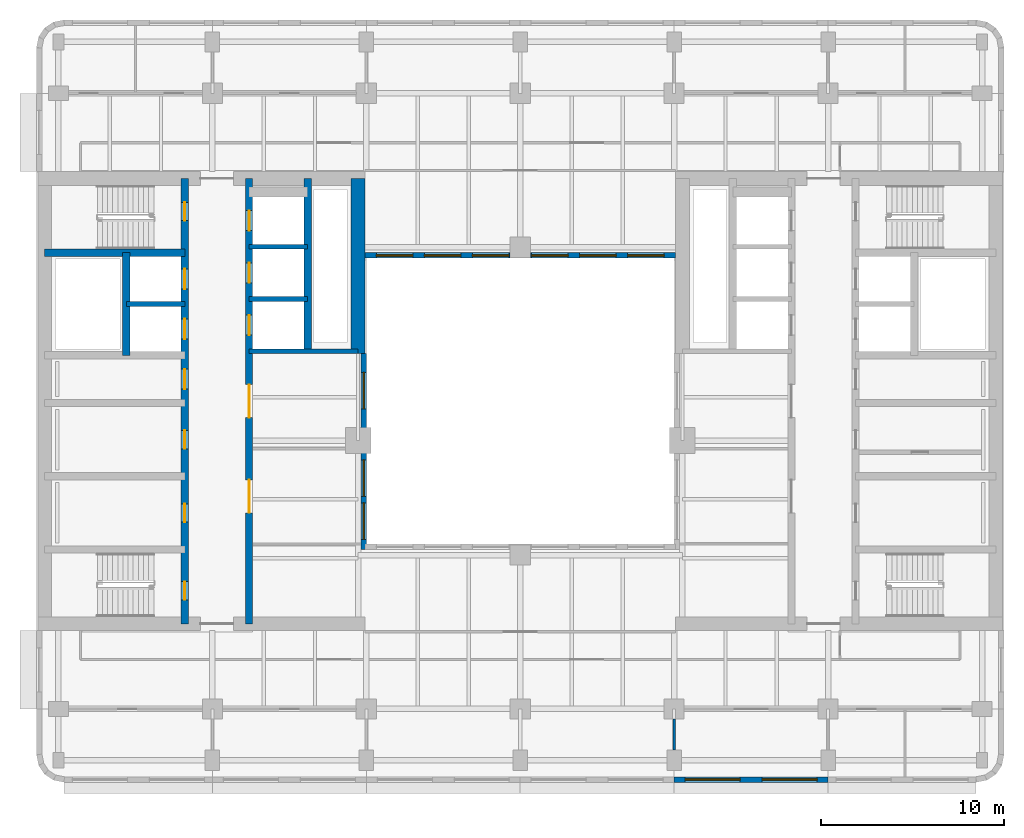
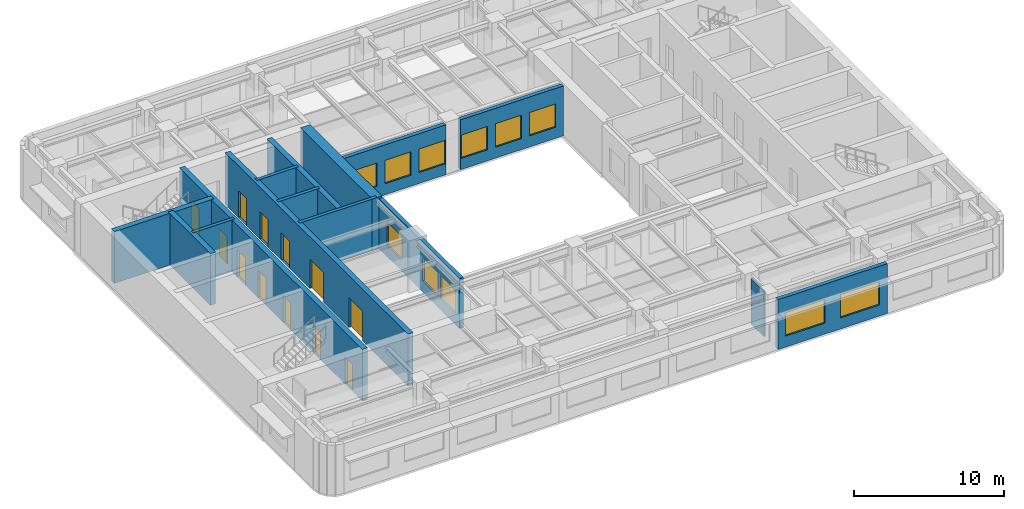
# One storey, part 4 of 11: 15 walls, 12 doors, 11 windows, 23 openings.
"""IFC4 building model written with IfcOpenShell, lengths in metres."""

from ifc_helpers import new_model, si_unit, direction, frame, frame_2d, origin, place, context, subcontext, project, spatial, rectangle, extrude, material, layer, layer_set, type_object, element, fill, save


model = new_model("IFC4")

# Units and contexts
model_context = context("Model", 3, precision=1e-05, world=origin(), true_north=direction((0.0, 1.0)))
body_context = subcontext(model_context, "Body", "Model", "MODEL_VIEW")
ifc_project = project(units=[si_unit("LENGTHUNIT", "METRE"), si_unit("AREAUNIT", "SQUARE_METRE"), si_unit("VOLUMEUNIT", "CUBIC_METRE"), si_unit("PLANEANGLEUNIT", "RADIAN"), si_unit("MASSUNIT", "GRAM", prefix="KILO")], contexts=[model_context])

# Site, building, storey
site_placement = place(None, origin())
site = spatial("IfcSite", under=ifc_project, at=site_placement, CompositionType="ELEMENT")
building_placement = place(site_placement, origin())
building = spatial("IfcBuilding", under=site, at=building_placement, Name="Claustro Exchange Tower", CompositionType="ELEMENT")
storey_placement = place(building_placement, frame((0.0, 0.0, 186.0)))
storey = spatial("IfcBuildingStorey", under=building, at=storey_placement, Name="L42", CompositionType="ELEMENT", Elevation=186.0)

# Wall
ifc_material_1 = material(Name="Laminated glass in aluminium frame", Category="aluminium")
ifc_layer_1 = layer(ifc_material_1, 0.1201171875)
ifc_layer_set_1 = layer_set([ifc_layer_1], Name="Laminated glass in aluminium frame")
wall_type_1 = type_object("IfcWallType", Name="P2 120 glazed partition", PredefinedType="PARTITIONING", material=ifc_layer_set_1)
wall_1_placement = place(storey_placement, frame((33.60009765625, 6.14892578125, 0.0), z_axis=(0.0, 0.0, 1.0), x_axis=(0.0, 1.0, 0.0)))
element("IfcWall", 1, at=wall_1_placement, inside=storey, type_object=wall_type_1, Name="Partition P2 L42", PredefinedType="PARTITIONING", context=body_context, shape_type="SweptSolid", body=[
    extrude(rectangle(XDim=1.7021484375, YDim=0.1201171875, at=frame_2d((0.85107421875, 0.0))), origin(), (0.0, 0.0, 1.0), 3.68994140625),
])

# Wall, openings, windows
ifc_material_2 = material(Name="Concrete HA-40 (C40/50), precast, white cement, acid-etched", Category="concrete")
ifc_layer_2 = layer(ifc_material_2, 0.300048828125)
ifc_layer_set_2 = layer_set([ifc_layer_2], Name="Concrete HA-40 (C40/50), precast, white cement, acid-etched")
wall_type_2 = type_object("IfcWallType", Name="PC1 300 precast concrete pier panel", PredefinedType="SOLIDWALL", material=ifc_layer_set_2)
wall_2_placement = place(storey_placement, frame((42.0, 4.550048828125, 0.0), z_axis=(0.0, 0.0, 1.0), x_axis=(-1.0, 0.0, 0.0)))
wall_2 = element("IfcWall", 2, at=wall_2_placement, inside=storey, type_object=wall_type_2, Name="Precast pier panel PC1 L42", PredefinedType="SOLIDWALL", context=body_context, shape_type="SweptSolid", body=[
    extrude(rectangle(XDim=8.39990234375, YDim=0.300048828125, at=frame_2d((4.199951171875, 0.0))), origin(), (0.0, 0.0, 1.0), 4.050048828125),
])
opening_1_placement = place(wall_2_placement, frame((0.60009765625, 0.0, 0.89990234375)))
opening_1 = element("IfcOpeningElement", 3, at=opening_1_placement, cuts=wall_2, Name="Opening W1", PredefinedType="OPENING", context=body_context, shape_type="SweptSolid", body=[
    extrude(rectangle(XDim=3.0, YDim=1.89990234375, at=frame_2d((1.5, 0.949951171875))), frame((0.0, 0.159912109375, 0.0), z_axis=(0.0, -1.0, 0.0), x_axis=(1.0, 0.0, 0.0)), (0.0, 0.0, 1.0), 0.320068359375),
])
opening_2_placement = place(wall_2_placement, frame((4.800048828125, 0.0, 0.89990234375)))
opening_2 = element("IfcOpeningElement", 4, at=opening_2_placement, cuts=wall_2, Name="Opening W1", PredefinedType="OPENING", context=body_context, shape_type="SweptSolid", body=[
    extrude(rectangle(XDim=3.0, YDim=1.89990234375, at=frame_2d((1.5, 0.949951171875))), frame((0.0, 0.159912109375, 0.0), z_axis=(0.0, -1.0, 0.0), x_axis=(1.0, 0.0, 0.0)), (0.0, 0.0, 1.0), 0.320068359375),
])
ifc_material_3 = material(Name="Aluminium frame, clear double glazing", Category="aluminium")
window_type_1 = type_object("IfcWindowType", Name="W1 3000 x 1900 window", PartitioningType="SINGLE_PANEL", PredefinedType="WINDOW", material=ifc_material_3)
window_1_placement = place(opening_1_placement, origin())
window_1 = element("IfcWindow", 5, at=window_1_placement, inside=storey, type_object=window_type_1, Name="Window W1 L42", OverallHeight=1.89990234375, OverallWidth=3.0, PartitioningType="SINGLE_PANEL", PredefinedType="WINDOW", context=body_context, shape_type="SweptSolid", body=[
    extrude(rectangle(XDim=3.0, YDim=1.89990234375, at=frame_2d((1.5, 0.949951171875))), frame((0.0, 0.030029296875, 0.0), z_axis=(0.0, -1.0, 0.0), x_axis=(1.0, 0.0, 0.0)), (0.0, 0.0, 1.0), 0.06005859375),
])
fill(opening_1, window_1)
window_2_placement = place(opening_2_placement, origin())
window_2 = element("IfcWindow", 6, at=window_2_placement, inside=storey, type_object=window_type_1, Name="Window W1 L42", OverallHeight=1.89990234375, OverallWidth=3.0, PartitioningType="SINGLE_PANEL", PredefinedType="WINDOW", context=body_context, shape_type="SweptSolid", body=[
    extrude(rectangle(XDim=3.0, YDim=1.89990234375, at=frame_2d((1.5, 0.949951171875))), frame((0.0, 0.030029296875, 0.0), z_axis=(0.0, -1.0, 0.0), x_axis=(1.0, 0.0, 0.0)), (0.0, 0.0, 1.0), 0.06005859375),
])
fill(opening_2, window_2)

wall_3_placement = place(storey_placement, frame((16.64990234375, 17.10009765625, 0.0), z_axis=(0.0, 0.0, 1.0), x_axis=(0.0, 1.0, 0.0)))
wall_3 = element("IfcWall", 7, at=wall_3_placement, inside=storey, type_object=wall_type_2, Name="Precast pier panel PC1 L42", PredefinedType="SOLIDWALL", context=body_context, shape_type="SweptSolid", body=[
    extrude(rectangle(XDim=10.699951171875, YDim=0.300048828125, at=frame_2d((5.35009765625, 0.0))), origin(), (0.0, 0.0, 1.0), 4.050048828125),
])
opening_3_placement = place(wall_3_placement, frame((0.550048828125, 0.0, 0.89990234375)))
opening_3 = element("IfcOpeningElement", 8, at=opening_3_placement, cuts=wall_3, Name="Opening W4", PredefinedType="OPENING", context=body_context, shape_type="SweptSolid", body=[
    extrude(rectangle(XDim=2.0, YDim=1.89990234375, at=frame_2d((1.0, 0.949951171875))), frame((0.0, 0.159912109375, 0.0), z_axis=(0.0, -1.0, 0.0), x_axis=(1.0, 0.0, 0.0)), (0.0, 0.0, 1.0), 0.320068359375),
])
opening_4_placement = place(wall_3_placement, frame((2.89990234375, 0.0, 0.89990234375)))
opening_4 = element("IfcOpeningElement", 9, at=opening_4_placement, cuts=wall_3, Name="Opening W4", PredefinedType="OPENING", context=body_context, shape_type="SweptSolid", body=[
    extrude(rectangle(XDim=2.0, YDim=1.89990234375, at=frame_2d((1.0, 0.949951171875))), frame((0.0, 0.159912109375, 0.0), z_axis=(0.0, -1.0, 0.0), x_axis=(1.0, 0.0, 0.0)), (0.0, 0.0, 1.0), 0.320068359375),
])
opening_5_placement = place(wall_3_placement, frame((7.675048828125, 0.0, 0.89990234375)))
opening_5 = element("IfcOpeningElement", 10, at=opening_5_placement, cuts=wall_3, Name="Opening W4", PredefinedType="OPENING", context=body_context, shape_type="SweptSolid", body=[
    extrude(rectangle(XDim=2.0, YDim=1.89990234375, at=frame_2d((1.0, 0.949951171875))), frame((0.0, 0.159912109375, 0.0), z_axis=(0.0, -1.0, 0.0), x_axis=(1.0, 0.0, 0.0)), (0.0, 0.0, 1.0), 0.320068359375),
])
ifc_material_4 = material(Name="Aluminium frame, clear double glazing", Category="aluminium")
window_type_2 = type_object("IfcWindowType", Name="W4 2000 x 1900 light well window", PartitioningType="SINGLE_PANEL", PredefinedType="WINDOW", material=ifc_material_4)
window_3_placement = place(opening_3_placement, origin())
window_3 = element("IfcWindow", 11, at=window_3_placement, inside=storey, type_object=window_type_2, Name="Window W4 L42", OverallHeight=1.89990234375, OverallWidth=2.0, PartitioningType="SINGLE_PANEL", PredefinedType="WINDOW", context=body_context, shape_type="SweptSolid", body=[
    extrude(rectangle(XDim=2.0, YDim=1.89990234375, at=frame_2d((1.0, 0.949951171875))), frame((0.0, 0.030029296875, 0.0), z_axis=(0.0, -1.0, 0.0), x_axis=(1.0, 0.0, 0.0)), (0.0, 0.0, 1.0), 0.06005859375),
])
fill(opening_3, window_3)
window_4_placement = place(opening_4_placement, origin())
window_4 = element("IfcWindow", 12, at=window_4_placement, inside=storey, type_object=window_type_2, Name="Window W4 L42", OverallHeight=1.89990234375, OverallWidth=2.0, PartitioningType="SINGLE_PANEL", PredefinedType="WINDOW", context=body_context, shape_type="SweptSolid", body=[
    extrude(rectangle(XDim=2.0, YDim=1.89990234375, at=frame_2d((1.0, 0.949951171875))), frame((0.0, 0.030029296875, 0.0), z_axis=(0.0, -1.0, 0.0), x_axis=(1.0, 0.0, 0.0)), (0.0, 0.0, 1.0), 0.06005859375),
])
fill(opening_4, window_4)
window_5_placement = place(opening_5_placement, origin())
window_5 = element("IfcWindow", 13, at=window_5_placement, inside=storey, type_object=window_type_2, Name="Window W4 L42", OverallHeight=1.89990234375, OverallWidth=2.0, PartitioningType="SINGLE_PANEL", PredefinedType="WINDOW", context=body_context, shape_type="SweptSolid", body=[
    extrude(rectangle(XDim=2.0, YDim=1.89990234375, at=frame_2d((1.0, 0.949951171875))), frame((0.0, 0.030029296875, 0.0), z_axis=(0.0, -1.0, 0.0), x_axis=(1.0, 0.0, 0.0)), (0.0, 0.0, 1.0), 0.06005859375),
])
fill(opening_5, window_5)

wall_4_placement = place(storey_placement, frame((16.72509765625, 33.14990234375, 0.0), z_axis=(0.0, 0.0, 1.0), x_axis=(1.0, 0.0, 0.0)))
wall_4 = element("IfcWall", 14, at=wall_4_placement, inside=storey, type_object=wall_type_2, Name="Precast pier panel PC1 L42", PredefinedType="SOLIDWALL", context=body_context, shape_type="SweptSolid", body=[
    extrude(rectangle(XDim=7.9248046875, YDim=0.300048828125, at=frame_2d((3.96240234375, 0.0))), origin(), (0.0, 0.0, 1.0), 4.050048828125),
])
opening_6_placement = place(wall_4_placement, frame((0.61865234375, 0.0, 0.89990234375)))
opening_6 = element("IfcOpeningElement", 15, at=opening_6_placement, cuts=wall_4, Name="Opening W4", PredefinedType="OPENING", context=body_context, shape_type="SweptSolid", body=[
    extrude(rectangle(XDim=2.0, YDim=1.89990234375, at=frame_2d((1.0, 0.949951171875))), frame((0.0, 0.159912109375, 0.0), z_axis=(0.0, -1.0, 0.0), x_axis=(1.0, 0.0, 0.0)), (0.0, 0.0, 1.0), 0.320068359375),
])
opening_7_placement = place(wall_4_placement, frame((3.237548828125, 0.0, 0.89990234375)))
opening_7 = element("IfcOpeningElement", 16, at=opening_7_placement, cuts=wall_4, Name="Opening W4", PredefinedType="OPENING", context=body_context, shape_type="SweptSolid", body=[
    extrude(rectangle(XDim=2.0, YDim=1.89990234375, at=frame_2d((1.0, 0.949951171875))), frame((0.0, 0.159912109375, 0.0), z_axis=(0.0, -1.0, 0.0), x_axis=(1.0, 0.0, 0.0)), (0.0, 0.0, 1.0), 0.320068359375),
])
opening_8_placement = place(wall_4_placement, frame((5.856201171875, 0.0, 0.89990234375)))
opening_8 = element("IfcOpeningElement", 17, at=opening_8_placement, cuts=wall_4, Name="Opening W4", PredefinedType="OPENING", context=body_context, shape_type="SweptSolid", body=[
    extrude(rectangle(XDim=2.0, YDim=1.89990234375, at=frame_2d((1.0, 0.949951171875))), frame((0.0, 0.159912109375, 0.0), z_axis=(0.0, -1.0, 0.0), x_axis=(1.0, 0.0, 0.0)), (0.0, 0.0, 1.0), 0.320068359375),
])
window_6_placement = place(opening_6_placement, origin())
window_6 = element("IfcWindow", 18, at=window_6_placement, inside=storey, type_object=window_type_2, Name="Window W4 L42", OverallHeight=1.89990234375, OverallWidth=2.0, PartitioningType="SINGLE_PANEL", PredefinedType="WINDOW", context=body_context, shape_type="SweptSolid", body=[
    extrude(rectangle(XDim=2.0, YDim=1.89990234375, at=frame_2d((1.0, 0.949951171875))), frame((0.0, 0.030029296875, 0.0), z_axis=(0.0, -1.0, 0.0), x_axis=(1.0, 0.0, 0.0)), (0.0, 0.0, 1.0), 0.06005859375),
])
fill(opening_6, window_6)
window_7_placement = place(opening_7_placement, origin())
window_7 = element("IfcWindow", 19, at=window_7_placement, inside=storey, type_object=window_type_2, Name="Window W4 L42", OverallHeight=1.89990234375, OverallWidth=2.0, PartitioningType="SINGLE_PANEL", PredefinedType="WINDOW", context=body_context, shape_type="SweptSolid", body=[
    extrude(rectangle(XDim=2.0, YDim=1.89990234375, at=frame_2d((1.0, 0.949951171875))), frame((0.0, 0.030029296875, 0.0), z_axis=(0.0, -1.0, 0.0), x_axis=(1.0, 0.0, 0.0)), (0.0, 0.0, 1.0), 0.06005859375),
])
fill(opening_7, window_7)
window_8_placement = place(opening_8_placement, origin())
window_8 = element("IfcWindow", 20, at=window_8_placement, inside=storey, type_object=window_type_2, Name="Window W4 L42", OverallHeight=1.89990234375, OverallWidth=2.0, PartitioningType="SINGLE_PANEL", PredefinedType="WINDOW", context=body_context, shape_type="SweptSolid", body=[
    extrude(rectangle(XDim=2.0, YDim=1.89990234375, at=frame_2d((1.0, 0.949951171875))), frame((0.0, 0.030029296875, 0.0), z_axis=(0.0, -1.0, 0.0), x_axis=(1.0, 0.0, 0.0)), (0.0, 0.0, 1.0), 0.06005859375),
])
fill(opening_8, window_8)

wall_5_placement = place(storey_placement, frame((25.75, 33.14990234375, 0.0), z_axis=(0.0, 0.0, 1.0), x_axis=(1.0, 0.0, 0.0)))
wall_5 = element("IfcWall", 21, at=wall_5_placement, inside=storey, type_object=wall_type_2, Name="Precast pier panel PC1 L42", PredefinedType="SOLIDWALL", context=body_context, shape_type="SweptSolid", body=[
    extrude(rectangle(XDim=7.925048828125, YDim=0.300048828125, at=frame_2d((3.96240234375, 0.0))), origin(), (0.0, 0.0, 1.0), 4.050048828125),
])
opening_9_placement = place(wall_5_placement, frame((0.068603515625, 0.0, 0.89990234375)))
opening_9 = element("IfcOpeningElement", 22, at=opening_9_placement, cuts=wall_5, Name="Opening W4", PredefinedType="OPENING", context=body_context, shape_type="SweptSolid", body=[
    extrude(rectangle(XDim=2.0, YDim=1.89990234375, at=frame_2d((1.0, 0.949951171875))), frame((0.0, 0.159912109375, 0.0), z_axis=(0.0, -1.0, 0.0), x_axis=(1.0, 0.0, 0.0)), (0.0, 0.0, 1.0), 0.320068359375),
])
opening_10_placement = place(wall_5_placement, frame((2.6875, 0.0, 0.89990234375)))
opening_10 = element("IfcOpeningElement", 23, at=opening_10_placement, cuts=wall_5, Name="Opening W4", PredefinedType="OPENING", context=body_context, shape_type="SweptSolid", body=[
    extrude(rectangle(XDim=2.0, YDim=1.89990234375, at=frame_2d((1.0, 0.949951171875))), frame((0.0, 0.159912109375, 0.0), z_axis=(0.0, -1.0, 0.0), x_axis=(1.0, 0.0, 0.0)), (0.0, 0.0, 1.0), 0.320068359375),
])
opening_11_placement = place(wall_5_placement, frame((5.30615234375, 0.0, 0.89990234375)))
opening_11 = element("IfcOpeningElement", 24, at=opening_11_placement, cuts=wall_5, Name="Opening W4", PredefinedType="OPENING", context=body_context, shape_type="SweptSolid", body=[
    extrude(rectangle(XDim=2.0, YDim=1.89990234375, at=frame_2d((1.0, 0.949951171875))), frame((0.0, 0.159912109375, 0.0), z_axis=(0.0, -1.0, 0.0), x_axis=(1.0, 0.0, 0.0)), (0.0, 0.0, 1.0), 0.320068359375),
])
window_9_placement = place(opening_9_placement, origin())
window_9 = element("IfcWindow", 25, at=window_9_placement, inside=storey, type_object=window_type_2, Name="Window W4 L42", OverallHeight=1.89990234375, OverallWidth=2.0, PartitioningType="SINGLE_PANEL", PredefinedType="WINDOW", context=body_context, shape_type="SweptSolid", body=[
    extrude(rectangle(XDim=2.0, YDim=1.89990234375, at=frame_2d((1.0, 0.949951171875))), frame((0.0, 0.030029296875, 0.0), z_axis=(0.0, -1.0, 0.0), x_axis=(1.0, 0.0, 0.0)), (0.0, 0.0, 1.0), 0.06005859375),
])
fill(opening_9, window_9)
window_10_placement = place(opening_10_placement, origin())
window_10 = element("IfcWindow", 26, at=window_10_placement, inside=storey, type_object=window_type_2, Name="Window W4 L42", OverallHeight=1.89990234375, OverallWidth=2.0, PartitioningType="SINGLE_PANEL", PredefinedType="WINDOW", context=body_context, shape_type="SweptSolid", body=[
    extrude(rectangle(XDim=2.0, YDim=1.89990234375, at=frame_2d((1.0, 0.949951171875))), frame((0.0, 0.030029296875, 0.0), z_axis=(0.0, -1.0, 0.0), x_axis=(1.0, 0.0, 0.0)), (0.0, 0.0, 1.0), 0.06005859375),
])
fill(opening_10, window_10)
window_11_placement = place(opening_11_placement, origin())
window_11 = element("IfcWindow", 27, at=window_11_placement, inside=storey, type_object=window_type_2, Name="Window W4 L42", OverallHeight=1.89990234375, OverallWidth=2.0, PartitioningType="SINGLE_PANEL", PredefinedType="WINDOW", context=body_context, shape_type="SweptSolid", body=[
    extrude(rectangle(XDim=2.0, YDim=1.89990234375, at=frame_2d((1.0, 0.949951171875))), frame((0.0, 0.030029296875, 0.0), z_axis=(0.0, -1.0, 0.0), x_axis=(1.0, 0.0, 0.0)), (0.0, 0.0, 1.0), 0.06005859375),
])
fill(opening_11, window_11)

# Wall
ifc_material_5 = material(Name="Concrete HA-70 (C70/85)", Category="concrete")
ifc_layer_3 = layer(ifc_material_5, 0.75)
ifc_layer_set_3 = layer_set([ifc_layer_3], Name="Concrete HA-70 (C70/85)")
wall_type_3 = type_object("IfcWallType", Name="SW2X 750 exposed core shear wall, board-marked face", PredefinedType="SHEAR", material=ifc_layer_set_3)
wall_6_placement = place(storey_placement, frame((16.35009765625, 27.800048828125, 0.0), z_axis=(0.0, 0.0, 1.0), x_axis=(0.0, 1.0, 0.0)))
element("IfcWall", 28, at=wall_6_placement, inside=storey, type_object=wall_type_3, Name="Core wall SW2X W core E face L42", PredefinedType="SHEAR", context=body_context, shape_type="SweptSolid", body=[
    extrude(rectangle(XDim=9.550048828125, YDim=0.75, at=frame_2d((4.77490234375, 0.0))), origin(), (0.0, 0.0, 1.0), 4.199951171875),
])

# Wall, openings, doors
ifc_material_6 = material(Name="Concrete HA-50 (C50/60)", Category="concrete")
ifc_layer_4 = layer(ifc_material_6, 0.39990234375)
ifc_layer_set_4 = layer_set([ifc_layer_4], Name="Concrete HA-50 (C50/60)")
wall_type_4 = type_object("IfcWallType", Name="SW4 400 internal core wall", PredefinedType="SHEAR", material=ifc_layer_set_4)
wall_7_placement = place(storey_placement, frame((6.89990234375, 13.050048828125, 0.0), z_axis=(0.0, 0.0, 1.0), x_axis=(0.0, 1.0, 0.0)))
wall_7 = element("IfcWall", 29, at=wall_7_placement, inside=storey, type_object=wall_type_4, Name="Internal core wall SW4 W core L42", PredefinedType="SHEAR", context=body_context, shape_type="SweptSolid", body=[
    extrude(rectangle(XDim=24.300048828125, YDim=0.39990234375, at=frame_2d((12.14990234375, 0.0))), origin(), (0.0, 0.0, 1.0), 4.199951171875),
])
opening_12_placement = place(wall_7_placement, frame((1.300048828125, 0.0, 0.0)))
opening_12 = element("IfcOpeningElement", 30, at=opening_12_placement, cuts=wall_7, Name="Opening D4", PredefinedType="OPENING", context=body_context, shape_type="SweptSolid", body=[
    extrude(rectangle(XDim=1.0, YDim=2.199951171875, at=frame_2d((0.5, 1.10009765625))), frame((0.0, 0.2099609375, 0.0), z_axis=(0.0, -1.0, 0.0), x_axis=(1.0, 0.0, 0.0)), (0.0, 0.0, 1.0), 0.419921875),
])
opening_13_placement = place(wall_7_placement, frame((22.0, 0.0, 0.0)))
opening_13 = element("IfcOpeningElement", 31, at=opening_13_placement, cuts=wall_7, Name="Opening D4", PredefinedType="OPENING", context=body_context, shape_type="SweptSolid", body=[
    extrude(rectangle(XDim=1.0, YDim=2.199951171875, at=frame_2d((0.5, 1.10009765625))), frame((0.0, 0.2099609375, 0.0), z_axis=(0.0, -1.0, 0.0), x_axis=(1.0, 0.0, 0.0)), (0.0, 0.0, 1.0), 0.419921875),
])
opening_14_placement = place(wall_7_placement, frame((5.550048828125, 0.0, 0.0)))
opening_14 = element("IfcOpeningElement", 32, at=opening_14_placement, cuts=wall_7, Name="Opening D1", PredefinedType="OPENING", context=body_context, shape_type="SweptSolid", body=[
    extrude(rectangle(XDim=1.0, YDim=2.199951171875, at=frame_2d((0.5, 1.10009765625))), frame((0.0, 0.2099609375, 0.0), z_axis=(0.0, -1.0, 0.0), x_axis=(1.0, 0.0, 0.0)), (0.0, 0.0, 1.0), 0.419921875),
])
opening_15_placement = place(wall_7_placement, frame((9.550048828125, 0.0, 0.0)))
opening_15 = element("IfcOpeningElement", 33, at=opening_15_placement, cuts=wall_7, Name="Opening D1", PredefinedType="OPENING", context=body_context, shape_type="SweptSolid", body=[
    extrude(rectangle(XDim=1.0, YDim=2.199951171875, at=frame_2d((0.5, 1.10009765625))), frame((0.0, 0.2099609375, 0.0), z_axis=(0.0, -1.0, 0.0), x_axis=(1.0, 0.0, 0.0)), (0.0, 0.0, 1.0), 0.419921875),
])
opening_16_placement = place(wall_7_placement, frame((12.800048828125, 0.0, 0.0)))
opening_16 = element("IfcOpeningElement", 34, at=opening_16_placement, cuts=wall_7, Name="Opening D10", PredefinedType="OPENING", context=body_context, shape_type="SweptSolid", body=[
    extrude(rectangle(XDim=1.10009765625, YDim=2.199951171875, at=frame_2d((0.550048828125, 1.10009765625))), frame((0.0, 0.2099609375, 0.0), z_axis=(0.0, -1.0, 0.0), x_axis=(1.0, 0.0, 0.0)), (0.0, 0.0, 1.0), 0.419921875),
])
opening_17_placement = place(wall_7_placement, frame((15.53759765625, 0.0, 0.0)))
opening_17 = element("IfcOpeningElement", 35, at=opening_17_placement, cuts=wall_7, Name="Opening LD", PredefinedType="OPENING", context=body_context, shape_type="SweptSolid", body=[
    extrude(rectangle(XDim=1.10009765625, YDim=2.199951171875, at=frame_2d((0.550048828125, 1.10009765625))), frame((0.0, 0.2099609375, 0.0), z_axis=(0.0, -1.0, 0.0), x_axis=(1.0, 0.0, 0.0)), (0.0, 0.0, 1.0), 0.419921875),
])
opening_18_placement = place(wall_7_placement, frame((18.262451171875, 0.0, 0.0)))
opening_18 = element("IfcOpeningElement", 36, at=opening_18_placement, cuts=wall_7, Name="Opening LD", PredefinedType="OPENING", context=body_context, shape_type="SweptSolid", body=[
    extrude(rectangle(XDim=1.10009765625, YDim=2.199951171875, at=frame_2d((0.550048828125, 1.10009765625))), frame((0.0, 0.2099609375, 0.0), z_axis=(0.0, -1.0, 0.0), x_axis=(1.0, 0.0, 0.0)), (0.0, 0.0, 1.0), 0.419921875),
])
ifc_material_7 = material(Name="Timber door, oak veneer", Category="wood")
door_type_1 = type_object("IfcDoorType", Name="D1 1000 x 2200 single door", OperationType="SINGLE_SWING_LEFT", PredefinedType="DOOR", material=ifc_material_7)
door_1_placement = place(opening_14_placement, origin())
door_1 = element("IfcDoor", 37, at=door_1_placement, inside=storey, type_object=door_type_1, Name="Door D1 L42", OperationType="SINGLE_SWING_RIGHT", OverallHeight=2.199951171875, OverallWidth=1.0, PredefinedType="DOOR", context=body_context, shape_type="SweptSolid", body=[
    extrude(rectangle(XDim=1.0, YDim=2.199951171875, at=frame_2d((0.5, 1.10009765625))), frame((0.0, 0.02490234375, 0.0), z_axis=(0.0, -1.0, 0.0), x_axis=(1.0, 0.0, 0.0)), (0.0, 0.0, 1.0), 0.050048828125),
])
fill(opening_14, door_1)
door_2_placement = place(opening_15_placement, origin())
door_2 = element("IfcDoor", 38, at=door_2_placement, inside=storey, type_object=door_type_1, Name="Door D1 L42", OperationType="SINGLE_SWING_RIGHT", OverallHeight=2.199951171875, OverallWidth=1.0, PredefinedType="DOOR", context=body_context, shape_type="SweptSolid", body=[
    extrude(rectangle(XDim=1.0, YDim=2.199951171875, at=frame_2d((0.5, 1.10009765625))), frame((0.0, 0.02490234375, 0.0), z_axis=(0.0, -1.0, 0.0), x_axis=(1.0, 0.0, 0.0)), (0.0, 0.0, 1.0), 0.050048828125),
])
fill(opening_15, door_2)
ifc_material_8 = material(Name="Timber door, oak veneer", Category="wood")
door_type_2 = type_object("IfcDoorType", Name="D10 1100 x 2200 accessible WC door", OperationType="SINGLE_SWING_LEFT", PredefinedType="DOOR", material=ifc_material_8)
door_3_placement = place(opening_16_placement, frame((1.10009765625, 0.0, 0.0), z_axis=(0.0, 0.0, 1.0), x_axis=(-1.0, 0.0, 0.0)))
door_3 = element("IfcDoor", 39, at=door_3_placement, inside=storey, type_object=door_type_2, Name="Accessible WC door D10 L42", OperationType="SINGLE_SWING_LEFT", OverallHeight=2.199951171875, OverallWidth=1.10009765625, PredefinedType="DOOR", context=body_context, shape_type="SweptSolid", body=[
    extrude(rectangle(XDim=1.10009765625, YDim=2.199951171875, at=frame_2d((0.550048828125, 1.10009765625))), frame((0.0, 0.02490234375, 0.0), z_axis=(0.0, -1.0, 0.0), x_axis=(1.0, 0.0, 0.0)), (0.0, 0.0, 1.0), 0.050048828125),
])
fill(opening_16, door_3)
ifc_material_9 = material(Name="Steel fire door, painted", Category="steel")
door_type_3 = type_object("IfcDoorType", Name="D4 1000 x 2200 fire-rated stair door", OperationType="SINGLE_SWING_LEFT", PredefinedType="DOOR", material=ifc_material_9)
door_4_placement = place(opening_12_placement, origin())
door_4 = element("IfcDoor", 40, at=door_4_placement, inside=storey, type_object=door_type_3, Name="Stair door D4 L42", OperationType="SINGLE_SWING_LEFT", OverallHeight=2.199951171875, OverallWidth=1.0, PredefinedType="DOOR", context=body_context, shape_type="SweptSolid", body=[
    extrude(rectangle(XDim=1.0, YDim=2.199951171875, at=frame_2d((0.5, 1.10009765625))), frame((0.0, 0.02490234375, 0.0), z_axis=(0.0, -1.0, 0.0), x_axis=(1.0, 0.0, 0.0)), (0.0, 0.0, 1.0), 0.050048828125),
])
fill(opening_12, door_4)
door_5_placement = place(opening_13_placement, origin())
door_5 = element("IfcDoor", 41, at=door_5_placement, inside=storey, type_object=door_type_3, Name="Stair door D4 L42", OperationType="SINGLE_SWING_RIGHT", OverallHeight=2.199951171875, OverallWidth=1.0, PredefinedType="DOOR", context=body_context, shape_type="SweptSolid", body=[
    extrude(rectangle(XDim=1.0, YDim=2.199951171875, at=frame_2d((0.5, 1.10009765625))), frame((0.0, 0.02490234375, 0.0), z_axis=(0.0, -1.0, 0.0), x_axis=(1.0, 0.0, 0.0)), (0.0, 0.0, 1.0), 0.050048828125),
])
fill(opening_13, door_5)
ifc_material_10 = material(Name="Stainless steel sliding door", Category="steel")
door_type_4 = type_object("IfcDoorType", Name="LD 1100 x 2200 lift landing door", OperationType="DOUBLE_DOOR_SLIDING", PredefinedType="DOOR", material=ifc_material_10)
door_6_placement = place(opening_17_placement, origin())
door_6 = element("IfcDoor", 42, at=door_6_placement, inside=storey, type_object=door_type_4, Name="Lift landing door LEW1 LD L42", OperationType="DOUBLE_DOOR_SLIDING", OverallHeight=2.199951171875, OverallWidth=1.10009765625, PredefinedType="DOOR", context=body_context, shape_type="SweptSolid", body=[
    extrude(rectangle(XDim=1.10009765625, YDim=2.199951171875, at=frame_2d((0.550048828125, 1.10009765625))), frame((0.0, 0.02490234375, 0.0), z_axis=(0.0, -1.0, 0.0), x_axis=(1.0, 0.0, 0.0)), (0.0, 0.0, 1.0), 0.050048828125),
])
fill(opening_17, door_6)
door_7_placement = place(opening_18_placement, origin())
door_7 = element("IfcDoor", 43, at=door_7_placement, inside=storey, type_object=door_type_4, Name="Lift landing door LEW2 LD L42", OperationType="DOUBLE_DOOR_SLIDING", OverallHeight=2.199951171875, OverallWidth=1.10009765625, PredefinedType="DOOR", context=body_context, shape_type="SweptSolid", body=[
    extrude(rectangle(XDim=1.10009765625, YDim=2.199951171875, at=frame_2d((0.550048828125, 1.10009765625))), frame((0.0, 0.02490234375, 0.0), z_axis=(0.0, -1.0, 0.0), x_axis=(1.0, 0.0, 0.0)), (0.0, 0.0, 1.0), 0.050048828125),
])
fill(opening_18, door_7)

wall_8_placement = place(storey_placement, frame((10.39990234375, 13.050048828125, 0.0), z_axis=(0.0, 0.0, 1.0), x_axis=(0.0, 1.0, 0.0)))
wall_8 = element("IfcWall", 44, at=wall_8_placement, inside=storey, type_object=wall_type_4, Name="Internal core wall SW4 W core L42", PredefinedType="SHEAR", context=body_context, shape_type="SweptSolid", body=[
    extrude(rectangle(XDim=24.300048828125, YDim=0.39990234375, at=frame_2d((12.14990234375, 0.0))), origin(), (0.0, 0.0, 1.0), 4.199951171875),
])
opening_19_placement = place(wall_8_placement, frame((15.75, 0.0, 0.0)))
opening_19 = element("IfcOpeningElement", 45, at=opening_19_placement, cuts=wall_8, Name="Opening LD", PredefinedType="OPENING", context=body_context, shape_type="SweptSolid", body=[
    extrude(rectangle(XDim=1.10009765625, YDim=2.199951171875, at=frame_2d((0.550048828125, 1.10009765625))), frame((0.0, 0.2099609375, 0.0), z_axis=(0.0, -1.0, 0.0), x_axis=(1.0, 0.0, 0.0)), (0.0, 0.0, 1.0), 0.419921875),
])
opening_20_placement = place(wall_8_placement, frame((18.60009765625, 0.0, 0.0)))
opening_20 = element("IfcOpeningElement", 46, at=opening_20_placement, cuts=wall_8, Name="Opening LD", PredefinedType="OPENING", context=body_context, shape_type="SweptSolid", body=[
    extrude(rectangle(XDim=1.10009765625, YDim=2.199951171875, at=frame_2d((0.550048828125, 1.10009765625))), frame((0.0, 0.2099609375, 0.0), z_axis=(0.0, -1.0, 0.0), x_axis=(1.0, 0.0, 0.0)), (0.0, 0.0, 1.0), 0.419921875),
])
opening_21_placement = place(wall_8_placement, frame((21.449951171875, 0.0, 0.0)))
opening_21 = element("IfcOpeningElement", 47, at=opening_21_placement, cuts=wall_8, Name="Opening LD", PredefinedType="OPENING", context=body_context, shape_type="SweptSolid", body=[
    extrude(rectangle(XDim=1.10009765625, YDim=2.199951171875, at=frame_2d((0.550048828125, 1.10009765625))), frame((0.0, 0.2099609375, 0.0), z_axis=(0.0, -1.0, 0.0), x_axis=(1.0, 0.0, 0.0)), (0.0, 0.0, 1.0), 0.419921875),
])
opening_22_placement = place(wall_8_placement, frame((6.050048828125, 0.0, 0.0)))
opening_22 = element("IfcOpeningElement", 48, at=opening_22_placement, cuts=wall_8, Name="Opening D3", PredefinedType="OPENING", context=body_context, shape_type="SweptSolid", body=[
    extrude(rectangle(XDim=1.800048828125, YDim=2.39990234375, at=frame_2d((0.89990234375, 1.199951171875))), frame((0.0, 0.2099609375, 0.0), z_axis=(0.0, -1.0, 0.0), x_axis=(1.0, 0.0, 0.0)), (0.0, 0.0, 1.0), 0.419921875),
])
opening_23_placement = place(wall_8_placement, frame((11.25, 0.0, 0.0)))
opening_23 = element("IfcOpeningElement", 49, at=opening_23_placement, cuts=wall_8, Name="Opening D3", PredefinedType="OPENING", context=body_context, shape_type="SweptSolid", body=[
    extrude(rectangle(XDim=1.800048828125, YDim=2.39990234375, at=frame_2d((0.89990234375, 1.199951171875))), frame((0.0, 0.2099609375, 0.0), z_axis=(0.0, -1.0, 0.0), x_axis=(1.0, 0.0, 0.0)), (0.0, 0.0, 1.0), 0.419921875),
])
ifc_material_11 = material(Name="Steel fire door, painted", Category="steel")
door_type_5 = type_object("IfcDoorType", Name="D3 1800 x 2400 fire-rated lobby double door", OperationType="DOUBLE_DOOR_SINGLE_SWING", PredefinedType="DOOR", material=ifc_material_11)
door_8_placement = place(opening_22_placement, frame((1.800048828125, 0.0, 0.0), z_axis=(0.0, 0.0, 1.0), x_axis=(-1.0, 0.0, 0.0)))
door_8 = element("IfcDoor", 50, at=door_8_placement, inside=storey, type_object=door_type_5, Name="Core zone door D3 L42", OperationType="DOUBLE_DOOR_SINGLE_SWING", OverallHeight=2.39990234375, OverallWidth=1.800048828125, PredefinedType="DOOR", context=body_context, shape_type="SweptSolid", body=[
    extrude(rectangle(XDim=1.800048828125, YDim=2.39990234375, at=frame_2d((0.89990234375, 1.199951171875))), frame((0.0, 0.02490234375, 0.0), z_axis=(0.0, -1.0, 0.0), x_axis=(1.0, 0.0, 0.0)), (0.0, 0.0, 1.0), 0.050048828125),
])
fill(opening_22, door_8)
door_9_placement = place(opening_23_placement, frame((1.800048828125, 0.0, 0.0), z_axis=(0.0, 0.0, 1.0), x_axis=(-1.0, 0.0, 0.0)))
door_9 = element("IfcDoor", 51, at=door_9_placement, inside=storey, type_object=door_type_5, Name="Core zone door D3 L42", OperationType="DOUBLE_DOOR_SINGLE_SWING", OverallHeight=2.39990234375, OverallWidth=1.800048828125, PredefinedType="DOOR", context=body_context, shape_type="SweptSolid", body=[
    extrude(rectangle(XDim=1.800048828125, YDim=2.39990234375, at=frame_2d((0.89990234375, 1.199951171875))), frame((0.0, 0.02490234375, 0.0), z_axis=(0.0, -1.0, 0.0), x_axis=(1.0, 0.0, 0.0)), (0.0, 0.0, 1.0), 0.050048828125),
])
fill(opening_23, door_9)
door_10_placement = place(opening_19_placement, origin())
door_10 = element("IfcDoor", 52, at=door_10_placement, inside=storey, type_object=door_type_4, Name="Lift landing door LHW1 LD L42", OperationType="DOUBLE_DOOR_SLIDING", OverallHeight=2.199951171875, OverallWidth=1.10009765625, PredefinedType="DOOR", context=body_context, shape_type="SweptSolid", body=[
    extrude(rectangle(XDim=1.10009765625, YDim=2.199951171875, at=frame_2d((0.550048828125, 1.10009765625))), frame((0.0, 0.02490234375, 0.0), z_axis=(0.0, -1.0, 0.0), x_axis=(1.0, 0.0, 0.0)), (0.0, 0.0, 1.0), 0.050048828125),
])
fill(opening_19, door_10)
door_11_placement = place(opening_20_placement, origin())
door_11 = element("IfcDoor", 53, at=door_11_placement, inside=storey, type_object=door_type_4, Name="Lift landing door LHW2 LD L42", OperationType="DOUBLE_DOOR_SLIDING", OverallHeight=2.199951171875, OverallWidth=1.10009765625, PredefinedType="DOOR", context=body_context, shape_type="SweptSolid", body=[
    extrude(rectangle(XDim=1.10009765625, YDim=2.199951171875, at=frame_2d((0.550048828125, 1.10009765625))), frame((0.0, 0.02490234375, 0.0), z_axis=(0.0, -1.0, 0.0), x_axis=(1.0, 0.0, 0.0)), (0.0, 0.0, 1.0), 0.050048828125),
])
fill(opening_20, door_11)
door_12_placement = place(opening_21_placement, origin())
door_12 = element("IfcDoor", 54, at=door_12_placement, inside=storey, type_object=door_type_4, Name="Lift landing door LSW1 LD L42", OperationType="DOUBLE_DOOR_SLIDING", OverallHeight=2.199951171875, OverallWidth=1.10009765625, PredefinedType="DOOR", context=body_context, shape_type="SweptSolid", body=[
    extrude(rectangle(XDim=1.10009765625, YDim=2.199951171875, at=frame_2d((0.550048828125, 1.10009765625))), frame((0.0, 0.02490234375, 0.0), z_axis=(0.0, -1.0, 0.0), x_axis=(1.0, 0.0, 0.0)), (0.0, 0.0, 1.0), 0.050048828125),
])
fill(opening_21, door_12)

# Walls
wall_9_placement = place(storey_placement, frame((13.60009765625, 27.925048828125, 0.0), z_axis=(0.0, 0.0, 1.0), x_axis=(0.0, 1.0, 0.0)))
element("IfcWall", 55, at=wall_9_placement, inside=storey, type_object=wall_type_4, Name="Internal core wall SW4 W core L42", PredefinedType="SHEAR", context=body_context, shape_type="SweptSolid", body=[
    extrude(rectangle(XDim=9.425048828125, YDim=0.39990234375, at=frame_2d((4.71240234375, 0.0))), origin(), (0.0, 0.0, 1.0), 4.199951171875),
])
wall_10_placement = place(storey_placement, frame((-0.75, 33.300048828125, 0.0), z_axis=(0.0, 0.0, 1.0), x_axis=(1.0, 0.0, 0.0)))
element("IfcWall", 56, at=wall_10_placement, inside=storey, type_object=wall_type_4, Name="Internal core wall SW4 W core L42", PredefinedType="SHEAR", context=body_context, shape_type="SweptSolid", body=[
    extrude(rectangle(XDim=7.64990234375, YDim=0.39990234375, at=frame_2d((3.824951171875, 0.0))), origin(), (0.0, 0.0, 1.0), 4.199951171875),
])
wall_11_placement = place(storey_placement, frame((3.699951171875, 27.699951171875, 0.0), z_axis=(0.0, 0.0, 1.0), x_axis=(0.0, 1.0, 0.0)))
element("IfcWall", 57, at=wall_11_placement, inside=storey, type_object=wall_type_4, Name="Internal core wall SW4 W core L42", PredefinedType="SHEAR", context=body_context, shape_type="SweptSolid", body=[
    extrude(rectangle(XDim=5.60009765625, YDim=0.39990234375, at=frame_2d((2.800048828125, 0.0))), origin(), (0.0, 0.0, 1.0), 4.199951171875),
])
ifc_material_12 = material(Name="Concrete HA-50 (C50/60)", Category="concrete")
ifc_layer_5 = layer(ifc_material_12, 0.25)
ifc_layer_set_5 = layer_set([ifc_layer_5], Name="Concrete HA-50 (C50/60)")
wall_type_5 = type_object("IfcWallType", Name="SW5 250 lift shaft divider wall", PredefinedType="SHEAR", material=ifc_layer_set_5)
wall_12_placement = place(storey_placement, frame((3.699951171875, 30.5, 0.0), z_axis=(0.0, 0.0, 1.0), x_axis=(1.0, 0.0, 0.0)))
element("IfcWall", 58, at=wall_12_placement, inside=storey, type_object=wall_type_5, Name="Lift shaft wall W core L42", PredefinedType="SHEAR", context=body_context, shape_type="SweptSolid", body=[
    extrude(rectangle(XDim=3.199951171875, YDim=0.25, at=frame_2d((1.60009765625, 0.0))), origin(), (0.0, 0.0, 1.0), 4.199951171875),
])
wall_13_placement = place(storey_placement, frame((10.39990234375, 27.925048828125, 0.0), z_axis=(0.0, 0.0, 1.0), x_axis=(1.0, 0.0, 0.0)))
element("IfcWall", 59, at=wall_13_placement, inside=storey, type_object=wall_type_5, Name="Core step wall W core L42", PredefinedType="SHEAR", context=body_context, shape_type="SweptSolid", body=[
    extrude(rectangle(XDim=5.9501953125, YDim=0.25, at=frame_2d((2.97509765625, 0.0))), origin(), (0.0, 0.0, 1.0), 4.199951171875),
])
for number, where, z_axis, x_axis, name in (
    (60, (10.39990234375, 30.77490234375, 0.0), (0.0, 0.0, 1.0), (1.0, 0.0, 0.0), "Lift shaft wall W core L42"),
    (61, (10.39990234375, 33.625, 0.0), (0.0, 0.0, 1.0), (1.0, 0.0, 0.0), "Lift shaft wall W core L42"),
):
    element("IfcWall", number, at=place(storey_placement, frame(where, z_axis=z_axis, x_axis=x_axis)), inside=storey, type_object=wall_type_5, Name=name, PredefinedType="SHEAR", context=body_context, shape_type="SweptSolid", body=[
        extrude(rectangle(XDim=3.2001953125, YDim=0.25, at=frame_2d((1.60009765625, 0.0))), origin(), (0.0, 0.0, 1.0), 4.199951171875),
    ])

save(model, "model.ifc")
